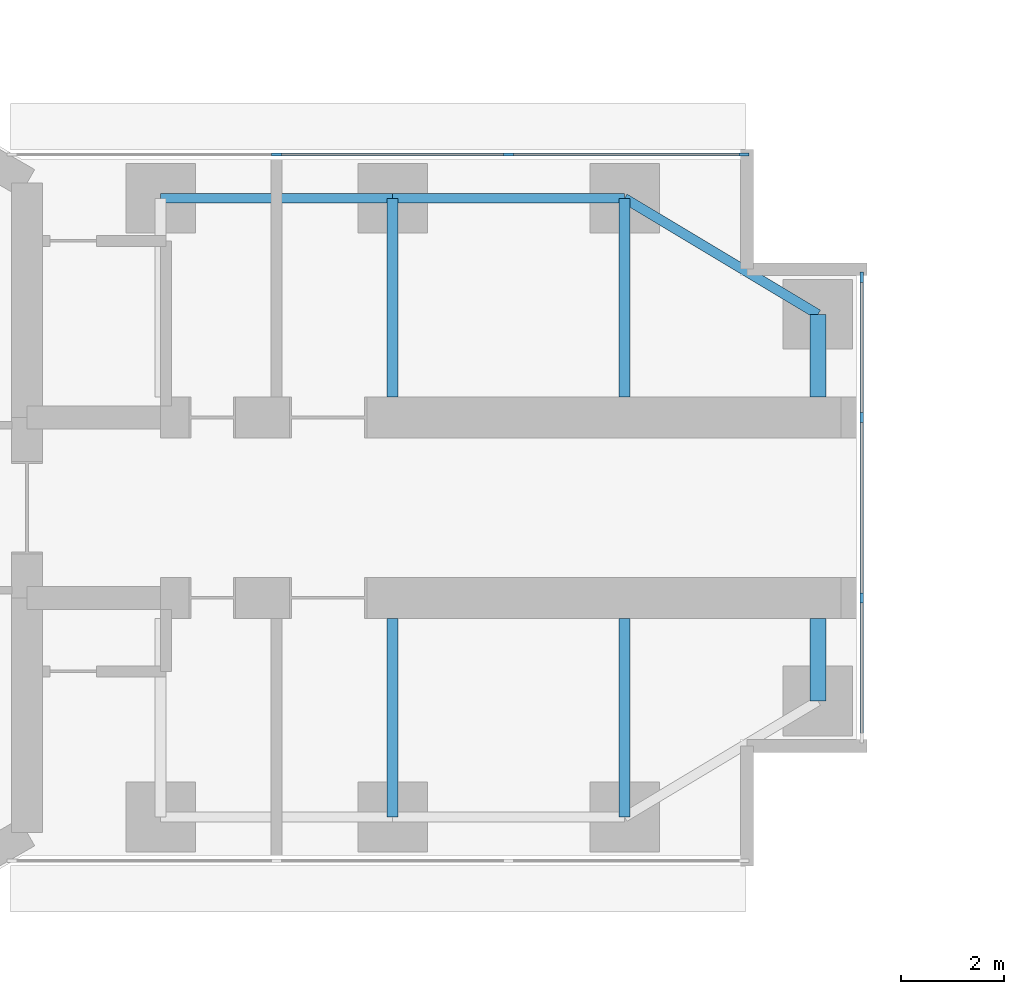
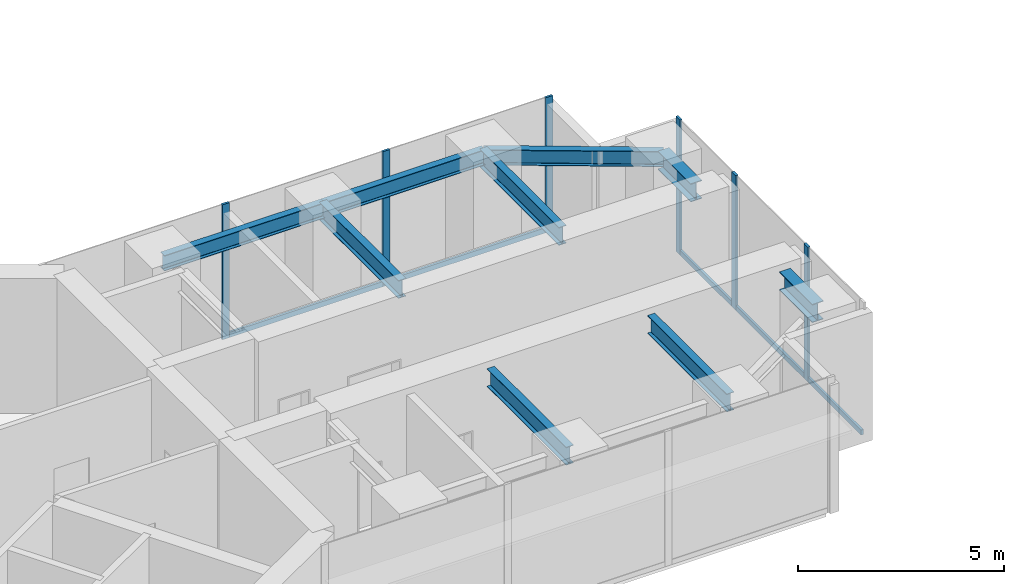
# One storey, part 7 of 21: 11 members, 9 beams, 2 elements without a shape of their own.
"""IFC4 building model written with IfcOpenShell, lengths in metres."""

from ifc_helpers import new_model, si_unit, direction, frame, origin, origin_2d, place, context, subcontext, project, spatial, rectangle, i_section, extrude, material, material_profile, profile_set, type_object, element, aggregate, save


model = new_model("IFC4")

# Units and contexts
model_context = context("Model", 3, precision=1e-05, world=origin(), true_north=direction((0.0, 1.0)))
body_context = subcontext(model_context, "Body", "Model", "MODEL_VIEW")
ifc_project = project(units=[si_unit("LENGTHUNIT", "METRE"), si_unit("AREAUNIT", "SQUARE_METRE"), si_unit("VOLUMEUNIT", "CUBIC_METRE"), si_unit("PLANEANGLEUNIT", "RADIAN"), si_unit("MASSUNIT", "GRAM", prefix="KILO")], contexts=[model_context])

# Site, building, storey
site_placement = place(None, origin())
site = spatial("IfcSite", under=ifc_project, at=site_placement, CompositionType="ELEMENT")
building_placement = place(site_placement, origin())
building = spatial("IfcBuilding", under=site, at=building_placement, Name="Upepo Twin Towers", CompositionType="ELEMENT")
storey_placement = place(building_placement, frame((0.0, 0.0, 101.5)))
storey = spatial("IfcBuildingStorey", under=building, at=storey_placement, Name="L24", CompositionType="ELEMENT", Elevation=101.5)

# Beams
ifc_material_1 = material(Name="Steel S355", Category="steel")
ifc_material_profile_1 = material_profile(ifc_material_1, i_section(OverallWidth=0.1904296875, OverallDepth=0.45703125, WebThickness=0.009033203125, FlangeThickness=0.014404296875, FilletRadius=0.01025390625, at=origin_2d()), Name="UB 457x191x74")
ifc_profile_set_1 = profile_set([ifc_material_profile_1], Name="Steel S355")
beam_type_1 = type_object("IfcBeamType", Name="Beam UB 457x191x74", PredefinedType="BEAM", material=ifc_profile_set_1)
for number, where, z_axis, x_axis, name in (
    (1, (13.5, 6.0, 3.571533203125), (1.0, 0.0, 0.0), (0.0, 1.0, 0.0), "T1 edge beam AL 13.5-18.0"),
    (2, (18.0, 6.0, 3.571533203125), (1.0, 0.0, 0.0), (0.0, 1.0, 0.0), "T1 edge beam AL 18.0-22.5"),
):
    element("IfcBeam", number, at=place(storey_placement, frame(where, z_axis=z_axis, x_axis=x_axis)), inside=storey, type_object=beam_type_1, Name=name, PredefinedType="BEAM", context=body_context, shape_type="SweptSolid", body=[
        extrude(i_section(OverallWidth=0.1904296875, OverallDepth=0.45703125, WebThickness=0.009033203125, FlangeThickness=0.014404296875, FilletRadius=0.01025390625, at=origin_2d()), origin(), (0.0, 0.0, 1.0), 4.5),
    ])
beam_placement = place(storey_placement, frame((22.5, 6.0, 3.571533203125), z_axis=(0.857492925713, -0.514495755428, 0.0), x_axis=(0.514495755428, 0.857492925713, 0.0)))
element("IfcBeam", 3, at=beam_placement, inside=storey, type_object=beam_type_1, Name="T1 nose edge beam AL", PredefinedType="BEAM", context=body_context, shape_type="SweptSolid", body=[
    extrude(i_section(OverallWidth=0.1904296875, OverallDepth=0.45703125, WebThickness=0.009033203125, FlangeThickness=0.014404296875, FilletRadius=0.01025390625, at=origin_2d()), origin(), (0.0, 0.0, 1.0), 4.373291015625),
])
ifc_material_2 = material(Name="Steel S355", Category="steel")
ifc_material_profile_2 = material_profile(ifc_material_2, i_section(OverallWidth=0.209228515625, OverallDepth=0.533203125, WebThickness=0.010009765625, FlangeThickness=0.015625, FilletRadius=0.0126953125, at=origin_2d()), Name="UB 533x210x92")
ifc_profile_set_2 = profile_set([ifc_material_profile_2], Name="Steel S355")
beam_type_2 = type_object("IfcBeamType", Name="Beam UB 533x210x92", PredefinedType="BEAM", material=ifc_profile_set_2)
for number, where, z_axis, x_axis, name in (
    (4, (18.0, 6.0, 3.533447265625), (0.0, -1.0, 0.0), (1.0, 0.0, 0.0), "T1 girder AL at 18.0"),
    (5, (22.5, 6.0, 3.533447265625), (0.0, -1.0, 0.0), (1.0, 0.0, 0.0), "T1 girder AL at 22.5"),
    (6, (18.0, -6.0, 3.533447265625), (0.0, 1.0, 0.0), (-1.0, 0.0, 0.0), "T1 girder AR at 18.0"),
    (7, (22.5, -6.0, 3.533447265625), (0.0, 1.0, 0.0), (-1.0, 0.0, 0.0), "T1 girder AR at 22.5"),
):
    element("IfcBeam", number, at=place(storey_placement, frame(where, z_axis=z_axis, x_axis=x_axis)), inside=storey, type_object=beam_type_2, Name=name, PredefinedType="BEAM", context=body_context, shape_type="SweptSolid", body=[
        extrude(i_section(OverallWidth=0.209228515625, OverallDepth=0.533203125, WebThickness=0.010009765625, FlangeThickness=0.015625, FilletRadius=0.0126953125, at=origin_2d()), origin(), (0.0, 0.0, 1.0), 3.85009765625),
    ])
ifc_material_3 = material(Name="Steel S355", Category="steel")
ifc_material_profile_3 = material_profile(ifc_material_3, i_section(OverallWidth=0.31201171875, OverallDepth=0.54345703125, WebThickness=0.0126953125, FlangeThickness=0.020263671875, FilletRadius=0.0126953125, at=origin_2d()), Name="UB 533x312x150")
ifc_profile_set_3 = profile_set([ifc_material_profile_3], Name="Steel S355")
beam_type_3 = type_object("IfcBeamType", Name="Beam UB 533x312x150", PredefinedType="BEAM", material=ifc_profile_set_3)
for number, where, z_axis, x_axis, name in (
    (8, (26.25, 3.75, 3.5283203125), (0.0, -1.0, 0.0), (1.0, 0.0, 0.0), "T1 nose beam AL"),
    (9, (26.25, -3.75, 3.5283203125), (0.0, 1.0, 0.0), (-1.0, 0.0, 0.0), "T1 nose beam AR"),
):
    element("IfcBeam", number, at=place(storey_placement, frame(where, z_axis=z_axis, x_axis=x_axis)), inside=storey, type_object=beam_type_3, Name=name, PredefinedType="BEAM", context=body_context, shape_type="SweptSolid", body=[
        extrude(i_section(OverallWidth=0.31201171875, OverallDepth=0.54345703125, WebThickness=0.0126953125, FlangeThickness=0.020263671875, FilletRadius=0.0126953125, at=origin_2d()), origin(), (0.0, 0.0, 1.0), 1.60009765625),
    ])

# Curtain wall, members
ifc_material_4 = material(Name="Aluminium and fritted glass", Category="aluminium")
curtain_wall_type = type_object("IfcCurtainWallType", Name="Tower curtain wall TW2, fritted glass", PredefinedType="NOTDEFINED", material=ifc_material_4)
curtain_wall_1_placement = place(storey_placement, origin())
curtain_wall_1 = element("IfcCurtainWall", 10, at=curtain_wall_1_placement, inside=storey, type_object=curtain_wall_type, Name="T1 L24 wing A flank L curtain wall", PredefinedType="NOTDEFINED")
ifc_material_5 = material(Name="Aluminium mullion", Category="aluminium")
ifc_material_profile_4 = material_profile(ifc_material_5, rectangle(XDim=0.06494140625, YDim=0.199951171875, at=origin_2d()), Name="MULLION 65x200")
ifc_profile_set_4 = profile_set([ifc_material_profile_4], Name="Aluminium mullion")
member_type_1 = type_object("IfcMemberType", Name="Mullion 65x200 TW2", PredefinedType="MULLION", material=ifc_profile_set_4)
member_1_placement = place(storey_placement, frame((15.75, 6.85009765625, 0.0), z_axis=(0.0, 0.0, 1.0), x_axis=(0.0, 1.0, 0.0)))
member_1 = element("IfcMember", 11, at=member_1_placement, type_object=member_type_1, Name="T1 L24 wing A flank L curtain wall mullion 2", PredefinedType="MULLION", context=body_context, shape_type="SweptSolid", body=[
    extrude(rectangle(XDim=0.06494140625, YDim=0.199951171875, at=origin_2d()), origin(), (0.0, 0.0, 1.0), 4.0),
])
member_2_placement = place(storey_placement, frame((20.25, 6.85009765625, 0.0), z_axis=(0.0, 0.0, 1.0), x_axis=(0.0, 1.0, 0.0)))
member_2 = element("IfcMember", 12, at=member_2_placement, type_object=member_type_1, Name="T1 L24 wing A flank L curtain wall mullion 3", PredefinedType="MULLION", context=body_context, shape_type="SweptSolid", body=[
    extrude(rectangle(XDim=0.06494140625, YDim=0.199951171875, at=origin_2d()), origin(), (0.0, 0.0, 1.0), 4.0),
])
member_3_placement = place(storey_placement, frame((24.8173828125, 6.85009765625, 0.0), z_axis=(0.0, 0.0, 1.0), x_axis=(0.0, 1.0, 0.0)))
member_3 = element("IfcMember", 13, at=member_3_placement, type_object=member_type_1, Name="T1 L24 wing A flank L curtain wall mullion 4", PredefinedType="MULLION", context=body_context, shape_type="SweptSolid", body=[
    extrude(rectangle(XDim=0.06494140625, YDim=0.199951171875, at=origin_2d()), origin(), (0.0, 0.0, 1.0), 4.0),
])

curtain_wall_2_placement = place(storey_placement, origin())
curtain_wall_2 = element("IfcCurtainWall", 14, at=curtain_wall_2_placement, inside=storey, type_object=curtain_wall_type, Name="T1 L24 wing A nose curtain wall", PredefinedType="NOTDEFINED")
member_4_placement = place(storey_placement, frame((27.10009765625, -1.75, 0.0), z_axis=(0.0, 0.0, 1.0), x_axis=(-1.0, 0.0, 0.0)))
member_4 = element("IfcMember", 15, at=member_4_placement, type_object=member_type_1, Name="T1 L24 wing A nose curtain wall mullion 2", PredefinedType="MULLION", context=body_context, shape_type="SweptSolid", body=[
    extrude(rectangle(XDim=0.06494140625, YDim=0.199951171875, at=origin_2d()), origin(), (0.0, 0.0, 1.0), 4.0),
])
member_5_placement = place(storey_placement, frame((27.10009765625, 1.75, 0.0), z_axis=(0.0, 0.0, 1.0), x_axis=(-1.0, 0.0, 0.0)))
member_5 = element("IfcMember", 16, at=member_5_placement, type_object=member_type_1, Name="T1 L24 wing A nose curtain wall mullion 3", PredefinedType="MULLION", context=body_context, shape_type="SweptSolid", body=[
    extrude(rectangle(XDim=0.06494140625, YDim=0.199951171875, at=origin_2d()), origin(), (0.0, 0.0, 1.0), 4.0),
])
member_6_placement = place(storey_placement, frame((27.10009765625, 4.467529296875, 0.0), z_axis=(0.0, 0.0, 1.0), x_axis=(-1.0, 0.0, 0.0)))
member_6 = element("IfcMember", 17, at=member_6_placement, type_object=member_type_1, Name="T1 L24 wing A nose curtain wall mullion 4", PredefinedType="MULLION", context=body_context, shape_type="SweptSolid", body=[
    extrude(rectangle(XDim=0.06494140625, YDim=0.199951171875, at=origin_2d()), origin(), (0.0, 0.0, 1.0), 4.0),
])

# Member
ifc_material_6 = material(Name="Aluminium transom", Category="aluminium")
ifc_material_profile_5 = material_profile(ifc_material_6, rectangle(XDim=0.06494140625, YDim=0.14990234375, at=origin_2d()), Name="TRANSOM 65x150")
ifc_profile_set_5 = profile_set([ifc_material_profile_5], Name="Aluminium transom")
member_type_2 = type_object("IfcMemberType", Name="Transom 65x150 TW2", PredefinedType="USERDEFINED", material=ifc_profile_set_5)
member_7_placement = place(storey_placement, frame((15.782470703125, 6.85009765625, 0.074951171875), z_axis=(1.0, 0.0, 0.0), x_axis=(0.0, 1.0, 0.0)))
member_7 = element("IfcMember", 18, at=member_7_placement, type_object=member_type_2, Name="T1 L24 wing A flank L curtain wall transom 2", ObjectType="TRANSOM", PredefinedType="USERDEFINED", context=body_context, shape_type="SweptSolid", body=[
    extrude(rectangle(XDim=0.06494140625, YDim=0.14990234375, at=origin_2d()), origin(), (0.0, 0.0, 1.0), 4.43505859375),
])

member_8_placement = place(storey_placement, frame((20.282470703125, 6.85009765625, 0.074951171875), z_axis=(1.0, 0.0, 0.0), x_axis=(0.0, 1.0, 0.0)))
member_8 = element("IfcMember", 19, at=member_8_placement, type_object=member_type_2, Name="T1 L24 wing A flank L curtain wall transom 3", ObjectType="TRANSOM", PredefinedType="USERDEFINED", context=body_context, shape_type="SweptSolid", body=[
    extrude(rectangle(XDim=0.06494140625, YDim=0.14990234375, at=origin_2d()), origin(), (0.0, 0.0, 1.0), 4.50244140625),
])

aggregate(curtain_wall_1, [member_1, member_2, member_3, member_7, member_8])

member_9_placement = place(storey_placement, frame((27.10009765625, -4.43505859375, 0.074951171875), z_axis=(0.0, 1.0, 0.0), x_axis=(-1.0, 0.0, 0.0)))
member_9 = element("IfcMember", 20, at=member_9_placement, type_object=member_type_2, Name="T1 L24 wing A nose curtain wall transom 1", ObjectType="TRANSOM", PredefinedType="USERDEFINED", context=body_context, shape_type="SweptSolid", body=[
    extrude(rectangle(XDim=0.06494140625, YDim=0.14990234375, at=origin_2d()), origin(), (0.0, 0.0, 1.0), 2.652587890625),
])

member_10_placement = place(storey_placement, frame((27.10009765625, -1.717529296875, 0.074951171875), z_axis=(0.0, 1.0, 0.0), x_axis=(-1.0, 0.0, 0.0)))
member_10 = element("IfcMember", 21, at=member_10_placement, type_object=member_type_2, Name="T1 L24 wing A nose curtain wall transom 2", ObjectType="TRANSOM", PredefinedType="USERDEFINED", context=body_context, shape_type="SweptSolid", body=[
    extrude(rectangle(XDim=0.06494140625, YDim=0.14990234375, at=origin_2d()), origin(), (0.0, 0.0, 1.0), 3.43505859375),
])

member_11_placement = place(storey_placement, frame((27.10009765625, 1.782470703125, 0.074951171875), z_axis=(0.0, 1.0, 0.0), x_axis=(-1.0, 0.0, 0.0)))
member_11 = element("IfcMember", 22, at=member_11_placement, type_object=member_type_2, Name="T1 L24 wing A nose curtain wall transom 3", ObjectType="TRANSOM", PredefinedType="USERDEFINED", context=body_context, shape_type="SweptSolid", body=[
    extrude(rectangle(XDim=0.06494140625, YDim=0.14990234375, at=origin_2d()), origin(), (0.0, 0.0, 1.0), 2.652587890625),
])

aggregate(curtain_wall_2, [member_4, member_5, member_6, member_9, member_10, member_11])

save(model, "model.ifc")
